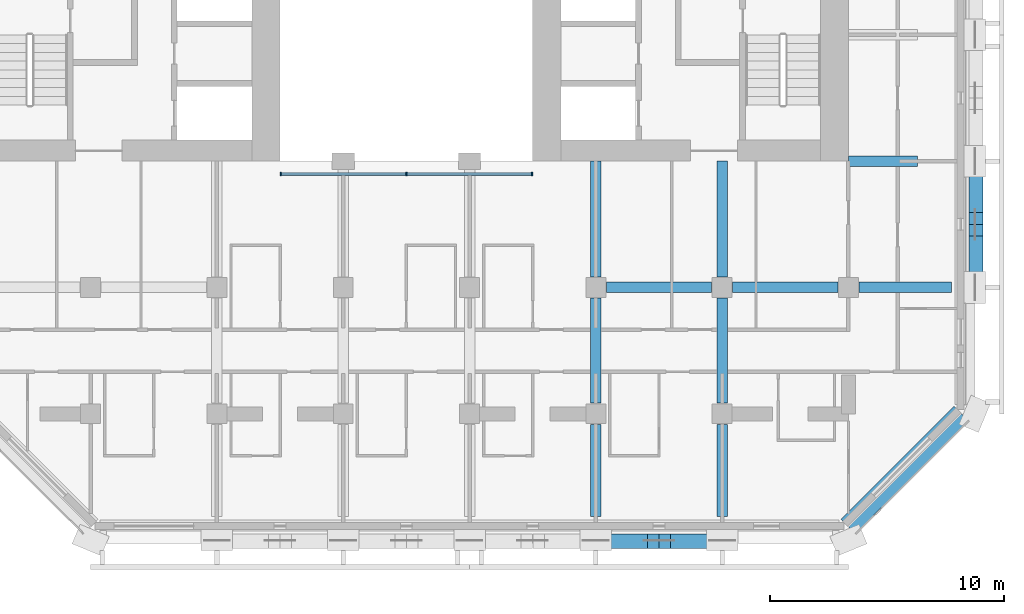
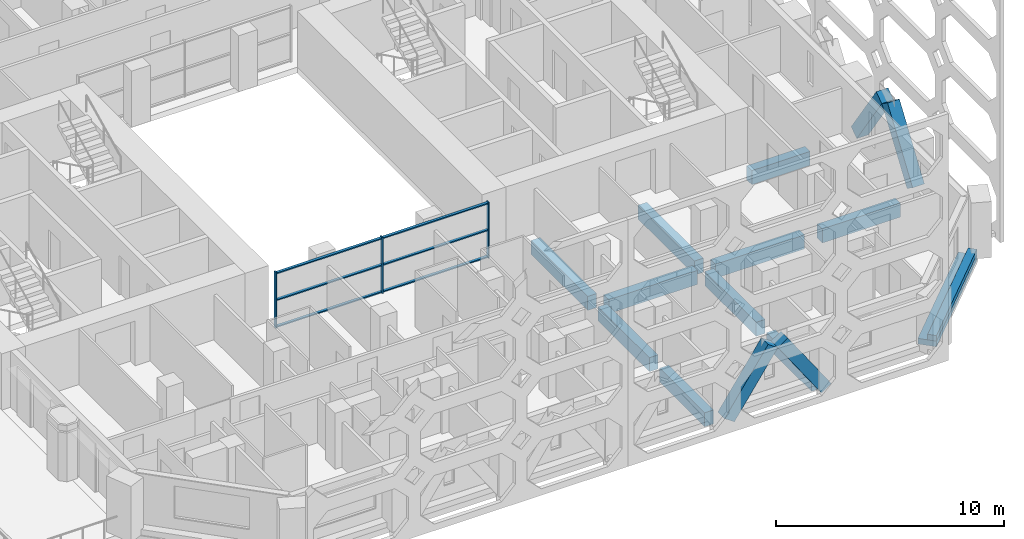
# One storey, part 2 of 16: 13 members, 12 beams, 1 element without a shape of its own.
"""IFC4 building model written with IfcOpenShell, lengths in metres."""

from ifc_helpers import new_model, si_unit, direction, frame, origin, origin_2d, place, context, subcontext, project, spatial, rectangle, extrude, material, material_profile, profile_set, type_object, element, aggregate, save


model = new_model("IFC4")

# Units and contexts
model_context = context("Model", 3, precision=1e-05, world=origin(), true_north=direction((0.0, 1.0)))
body_context = subcontext(model_context, "Body", "Model", "MODEL_VIEW")
ifc_project = project(units=[si_unit("LENGTHUNIT", "METRE"), si_unit("AREAUNIT", "SQUARE_METRE"), si_unit("VOLUMEUNIT", "CUBIC_METRE"), si_unit("PLANEANGLEUNIT", "RADIAN"), si_unit("MASSUNIT", "GRAM", prefix="KILO")], contexts=[model_context])

# Site, building, storey
site_placement = place(None, origin())
site = spatial("IfcSite", under=ifc_project, at=site_placement, CompositionType="ELEMENT")
building_placement = place(site_placement, origin())
building = spatial("IfcBuilding", under=site, at=building_placement, Name="Tabaq Tower and Sports Hall", CompositionType="ELEMENT")
storey_placement = place(building_placement, frame((0.0, 0.0, 152.800048828125)))
storey = spatial("IfcBuildingStorey", under=building, at=storey_placement, Name="L35", CompositionType="ELEMENT", Elevation=152.800048828125)

# Curtain wall, members
ifc_material_1 = material(Name="Aluminium alloy 6063-T6 framed glazing", Category="aluminium")
curtain_wall_type = type_object("IfcCurtainWallType", Name="CW1 curtain wall", PredefinedType="USERDEFINED", material=ifc_material_1)
curtain_wall_placement = place(storey_placement, origin())
curtain_wall = element("IfcCurtainWall", 1, at=curtain_wall_placement, inside=storey, type_object=curtain_wall_type, Name="Atrium glazing L35 S", ObjectType="ATRIUM ENCLOSURE", PredefinedType="USERDEFINED")
ifc_material_2 = material(Name="Aluminium alloy 6063-T6", Category="aluminium")
ifc_material_profile_1 = material_profile(ifc_material_2, rectangle(XDim=0.159912109375, YDim=0.06005859375, at=origin_2d()), Name="MULLION 160x60")
ifc_profile_set_1 = profile_set([ifc_material_profile_1], Name="Aluminium alloy 6063-T6")
member_type_1 = type_object("IfcMemberType", Name="CW1 mullion 160x60", PredefinedType="MULLION", material=ifc_profile_set_1)
member_1_placement = place(storey_placement, frame((18.929931640625, 15.64990234375, 0.0), z_axis=(0.0, 0.0, 1.0), x_axis=(0.0, 1.0, 0.0)))
member_1 = element("IfcMember", 2, at=member_1_placement, type_object=member_type_1, Name="CW1 mullion 1", PredefinedType="MULLION", context=body_context, shape_type="SweptSolid", body=[
    extrude(rectangle(XDim=0.159912109375, YDim=0.06005859375, at=origin_2d()), origin(), (0.0, 0.0, 1.0), 3.0),
])
member_2_placement = place(storey_placement, frame((24.300048828125, 15.64990234375, 0.0), z_axis=(0.0, 0.0, 1.0), x_axis=(0.0, 1.0, 0.0)))
member_2 = element("IfcMember", 3, at=member_2_placement, type_object=member_type_1, Name="CW1 mullion 2", PredefinedType="MULLION", context=body_context, shape_type="SweptSolid", body=[
    extrude(rectangle(XDim=0.159912109375, YDim=0.06005859375, at=origin_2d()), origin(), (0.0, 0.0, 1.0), 3.0),
])
member_3_placement = place(storey_placement, frame((29.669921875, 15.64990234375, 0.0), z_axis=(0.0, 0.0, 1.0), x_axis=(0.0, 1.0, 0.0)))
member_3 = element("IfcMember", 4, at=member_3_placement, type_object=member_type_1, Name="CW1 mullion 3", PredefinedType="MULLION", context=body_context, shape_type="SweptSolid", body=[
    extrude(rectangle(XDim=0.159912109375, YDim=0.06005859375, at=origin_2d()), origin(), (0.0, 0.0, 1.0), 3.0),
])
ifc_material_3 = material(Name="Aluminium alloy 6063-T6", Category="aluminium")
ifc_material_profile_2 = material_profile(ifc_material_3, rectangle(XDim=0.139892578125, YDim=0.06005859375, at=origin_2d()), Name="TRANSOM 140x60")
ifc_profile_set_2 = profile_set([ifc_material_profile_2], Name="Aluminium alloy 6063-T6")
member_type_2 = type_object("IfcMemberType", Name="CW1 transom 140x60", PredefinedType="USERDEFINED", material=ifc_profile_set_2)
member_4_placement = place(storey_placement, frame((18.9599609375, 15.64990234375, 0.070068359375), z_axis=(1.0, 0.0, 0.0), x_axis=(0.0, 1.0, 0.0)))
member_4 = element("IfcMember", 5, at=member_4_placement, type_object=member_type_2, Name="CW1 transom 1.1", ObjectType="TRANSOM", PredefinedType="USERDEFINED", context=body_context, shape_type="SweptSolid", body=[
    extrude(rectangle(XDim=0.139892578125, YDim=0.06005859375, at=origin_2d()), origin(), (0.0, 0.0, 1.0), 5.31005859375),
])
member_5_placement = place(storey_placement, frame((18.9599609375, 15.64990234375, 1.5), z_axis=(1.0, 0.0, 0.0), x_axis=(0.0, 1.0, 0.0)))
member_5 = element("IfcMember", 6, at=member_5_placement, type_object=member_type_2, Name="CW1 transom 1.2", ObjectType="TRANSOM", PredefinedType="USERDEFINED", context=body_context, shape_type="SweptSolid", body=[
    extrude(rectangle(XDim=0.139892578125, YDim=0.06005859375, at=origin_2d()), origin(), (0.0, 0.0, 1.0), 5.31005859375),
])
member_6_placement = place(storey_placement, frame((18.9599609375, 15.64990234375, 2.929931640625), z_axis=(1.0, 0.0, 0.0), x_axis=(0.0, 1.0, 0.0)))
member_6 = element("IfcMember", 7, at=member_6_placement, type_object=member_type_2, Name="CW1 transom 1.3", ObjectType="TRANSOM", PredefinedType="USERDEFINED", context=body_context, shape_type="SweptSolid", body=[
    extrude(rectangle(XDim=0.139892578125, YDim=0.06005859375, at=origin_2d()), origin(), (0.0, 0.0, 1.0), 5.31005859375),
])
member_7_placement = place(storey_placement, frame((24.330078125, 15.64990234375, 0.070068359375), z_axis=(1.0, 0.0, 0.0), x_axis=(0.0, 1.0, 0.0)))
member_7 = element("IfcMember", 8, at=member_7_placement, type_object=member_type_2, Name="CW1 transom 2.1", ObjectType="TRANSOM", PredefinedType="USERDEFINED", context=body_context, shape_type="SweptSolid", body=[
    extrude(rectangle(XDim=0.139892578125, YDim=0.06005859375, at=origin_2d()), origin(), (0.0, 0.0, 1.0), 5.309814453125),
])
member_8_placement = place(storey_placement, frame((24.330078125, 15.64990234375, 1.5), z_axis=(1.0, 0.0, 0.0), x_axis=(0.0, 1.0, 0.0)))
member_8 = element("IfcMember", 9, at=member_8_placement, type_object=member_type_2, Name="CW1 transom 2.2", ObjectType="TRANSOM", PredefinedType="USERDEFINED", context=body_context, shape_type="SweptSolid", body=[
    extrude(rectangle(XDim=0.139892578125, YDim=0.06005859375, at=origin_2d()), origin(), (0.0, 0.0, 1.0), 5.309814453125),
])
member_9_placement = place(storey_placement, frame((24.330078125, 15.64990234375, 2.929931640625), z_axis=(1.0, 0.0, 0.0), x_axis=(0.0, 1.0, 0.0)))
member_9 = element("IfcMember", 10, at=member_9_placement, type_object=member_type_2, Name="CW1 transom 2.3", ObjectType="TRANSOM", PredefinedType="USERDEFINED", context=body_context, shape_type="SweptSolid", body=[
    extrude(rectangle(XDim=0.139892578125, YDim=0.06005859375, at=origin_2d()), origin(), (0.0, 0.0, 1.0), 5.309814453125),
])
aggregate(curtain_wall, [member_1, member_2, member_3, member_4, member_5, member_6, member_7, member_8, member_9])

# Beams
ifc_material_4 = material(Name="Concrete C40/50", Category="concrete")
ifc_material_profile_3 = material_profile(ifc_material_4, rectangle(XDim=0.449951171875, YDim=0.75, at=origin_2d()), Name="CB 450x750")
ifc_profile_set_3 = profile_set([ifc_material_profile_3], Name="Concrete C40/50")
beam_type_1 = type_object("IfcBeamType", Name="PT CANTILEVER BEAM CB 450x750 C40/50", PredefinedType="BEAM", material=ifc_profile_set_3)
beam_1_placement = place(storey_placement, frame((47.60009765625, 10.800048828125, -0.675048828125), z_axis=(-1.0, 0.0, 0.0), x_axis=(0.0, -1.0, 0.0)))
element("IfcBeam", 11, at=beam_1_placement, inside=storey, type_object=beam_type_1, Name="Cantilever Beam L35 E2 span 1", PredefinedType="BEAM", context=body_context, shape_type="SweptSolid", body=[
    extrude(rectangle(XDim=0.449951171875, YDim=0.75, at=origin_2d()), origin(), (0.0, 0.0, 1.0), 3.9501953125),
])
for number, where, z_axis, x_axis, name in (
    (12, (42.75, 10.800048828125, -0.675048828125), (-1.0, 0.0, 0.0), (0.0, -1.0, 0.0), "Cantilever Beam L35 E2 span 2"),
    (13, (37.35009765625, 10.800048828125, -0.675048828125), (-1.0, 0.0, 0.0), (0.0, -1.0, 0.0), "Cantilever Beam L35 E2 span 3"),
):
    element("IfcBeam", number, at=place(storey_placement, frame(where, z_axis=z_axis, x_axis=x_axis)), inside=storey, type_object=beam_type_1, Name=name, PredefinedType="BEAM", context=body_context, shape_type="SweptSolid", body=[
        extrude(rectangle(XDim=0.449951171875, YDim=0.75, at=origin_2d()), origin(), (0.0, 0.0, 1.0), 4.5),
    ])
beam_2_placement = place(storey_placement, frame((46.14990234375, 16.199951171875, -0.675048828125), z_axis=(-1.0, 0.0, 0.0), x_axis=(0.0, -1.0, 0.0)))
element("IfcBeam", 14, at=beam_2_placement, inside=storey, type_object=beam_type_1, Name="Cantilever Beam L35 E3 span 1", PredefinedType="BEAM", context=body_context, shape_type="SweptSolid", body=[
    extrude(rectangle(XDim=0.449951171875, YDim=0.75, at=origin_2d()), origin(), (0.0, 0.0, 1.0), 2.949951171875),
])
beam_3_placement = place(storey_placement, frame((32.39990234375, 1.0, -0.675048828125), z_axis=(0.0, 1.0, 0.0), x_axis=(-1.0, 0.0, 0.0)))
element("IfcBeam", 15, at=beam_3_placement, inside=storey, type_object=beam_type_1, Name="Cantilever Beam L35 S6 span 1", PredefinedType="BEAM", context=body_context, shape_type="SweptSolid", body=[
    extrude(rectangle(XDim=0.449951171875, YDim=0.75, at=origin_2d()), origin(), (0.0, 0.0, 1.0), 3.949951171875),
])
beam_4_placement = place(storey_placement, frame((32.39990234375, 5.85009765625, -0.675048828125), z_axis=(0.0, 1.0, 0.0), x_axis=(-1.0, 0.0, 0.0)))
element("IfcBeam", 16, at=beam_4_placement, inside=storey, type_object=beam_type_1, Name="Cantilever Beam L35 S6 span 2", PredefinedType="BEAM", context=body_context, shape_type="SweptSolid", body=[
    extrude(rectangle(XDim=0.449951171875, YDim=0.75, at=origin_2d()), origin(), (0.0, 0.0, 1.0), 4.5),
])
beam_5_placement = place(storey_placement, frame((32.39990234375, 11.25, -0.675048828125), z_axis=(0.0, 1.0, 0.0), x_axis=(-1.0, 0.0, 0.0)))
element("IfcBeam", 17, at=beam_5_placement, inside=storey, type_object=beam_type_1, Name="Cantilever Beam L35 S6 span 3", PredefinedType="BEAM", context=body_context, shape_type="SweptSolid", body=[
    extrude(rectangle(XDim=0.449951171875, YDim=0.75, at=origin_2d()), origin(), (0.0, 0.0, 1.0), 4.949951171875),
])
beam_6_placement = place(storey_placement, frame((37.800048828125, 1.0, -0.675048828125), z_axis=(0.0, 1.0, 0.0), x_axis=(-1.0, 0.0, 0.0)))
element("IfcBeam", 18, at=beam_6_placement, inside=storey, type_object=beam_type_1, Name="Cantilever Beam L35 S7 span 1", PredefinedType="BEAM", context=body_context, shape_type="SweptSolid", body=[
    extrude(rectangle(XDim=0.449951171875, YDim=0.75, at=origin_2d()), origin(), (0.0, 0.0, 1.0), 3.949951171875),
])
beam_7_placement = place(storey_placement, frame((37.800048828125, 5.85009765625, -0.675048828125), z_axis=(0.0, 1.0, 0.0), x_axis=(-1.0, 0.0, 0.0)))
element("IfcBeam", 19, at=beam_7_placement, inside=storey, type_object=beam_type_1, Name="Cantilever Beam L35 S7 span 2", PredefinedType="BEAM", context=body_context, shape_type="SweptSolid", body=[
    extrude(rectangle(XDim=0.449951171875, YDim=0.75, at=origin_2d()), origin(), (0.0, 0.0, 1.0), 4.5),
])
beam_8_placement = place(storey_placement, frame((37.800048828125, 11.25, -0.675048828125), z_axis=(0.0, 1.0, 0.0), x_axis=(-1.0, 0.0, 0.0)))
element("IfcBeam", 20, at=beam_8_placement, inside=storey, type_object=beam_type_1, Name="Cantilever Beam L35 S7 span 3", PredefinedType="BEAM", context=body_context, shape_type="SweptSolid", body=[
    extrude(rectangle(XDim=0.449951171875, YDim=0.75, at=origin_2d()), origin(), (0.0, 0.0, 1.0), 4.949951171875),
])
ifc_material_5 = material(Name="Concrete C40/50", Category="concrete")
ifc_material_profile_4 = material_profile(ifc_material_5, rectangle(XDim=0.85009765625, YDim=0.300048828125, at=origin_2d()), Name="EB 850x300")
ifc_profile_set_4 = profile_set([ifc_material_profile_4], Name="Concrete C40/50")
beam_type_2 = type_object("IfcBeamType", Name="PT EDGE BEAM EB 850x300 C40/50", PredefinedType="SPANDREL", material=ifc_profile_set_4)
beam_9_placement = place(storey_placement, frame((43.183837890625, 0.584716796875, -0.150146484375), z_axis=(0.707088915255, 0.707124646667, 0.0), x_axis=(-0.707124646667, 0.707088915255, 0.0)))
element("IfcBeam", 21, at=beam_9_placement, inside=storey, type_object=beam_type_2, Name="Edge Beam L35 3", PredefinedType="SPANDREL", context=body_context, shape_type="SweptSolid", body=[
    extrude(rectangle(XDim=0.85009765625, YDim=0.300048828125, at=origin_2d()), origin(), (0.0, 0.0, 1.0), 6.832763671875),
])
ifc_material_6 = material(Name="Concrete C40/50", Category="concrete")
ifc_material_profile_5 = material_profile(ifc_material_6, rectangle(XDim=0.39990234375, YDim=0.300048828125, at=origin_2d()), Name="EU 400x300")
ifc_profile_set_5 = profile_set([ifc_material_profile_5], Name="Concrete C40/50")
beam_type_3 = type_object("IfcBeamType", Name="PT EDGE UPSTAND EU 400x300 C40/50", PredefinedType="BEAM", material=ifc_profile_set_5)
beam_10_placement = place(storey_placement, frame((43.3427734375, 0.42578125, 0.14990234375), z_axis=(0.707124646667, 0.707088915255, 0.0), x_axis=(-0.707088915255, 0.707124646667, 0.0)))
element("IfcBeam", 22, at=beam_10_placement, inside=storey, type_object=beam_type_3, Name="Edge Upstand L35 3", PredefinedType="BEAM", context=body_context, shape_type="SweptSolid", body=[
    extrude(rectangle(XDim=0.39990234375, YDim=0.300048828125, at=origin_2d()), origin(), (0.0, 0.0, 1.0), 6.832763671875),
])

# Members
ifc_material_7 = material(Name="Concrete C50/60", Category="concrete")
ifc_material_profile_6 = material_profile(ifc_material_7, rectangle(XDim=0.60009765625, YDim=0.60009765625, at=origin_2d()), Name="TRANSFER BAND BRACE 600x600")
ifc_profile_set_6 = profile_set([ifc_material_profile_6], Name="Concrete C50/60")
member_type_3 = type_object("IfcMemberType", Name="RC TRANSFER BAND BRACE 600x600 C50/60", PredefinedType="BRACE", material=ifc_profile_set_6)
for number, where, z_axis, x_axis, name in (
    (23, (32.64990234375, -0.050048828125, -0.050048828125), (0.566568844459, 0.0, 0.824014407937), (0.0, 1.0, 0.0), "Transfer Band Brace L35 South 7"),
    (24, (37.550048828125, -0.050048828125, -0.050048828125), (-0.56652615464, 0.0, 0.824043758613), (0.0, -1.0, 0.0), "Transfer Band Brace L35 South 8"),
    (25, (48.64990234375, 11.050048828125, -0.050048828125), (0.0, 0.56652615464, 0.824043758613), (-1.0, 0.0, 0.0), "Transfer Band Brace L35 East 9"),
    (26, (48.64990234375, 15.949951171875, -0.050048828125), (0.0, -0.56652615464, 0.824043758613), (1.0, 0.0, 0.0), "Transfer Band Brace L35 East 10"),
):
    element("IfcMember", number, at=place(storey_placement, frame(where, z_axis=z_axis, x_axis=x_axis)), inside=storey, type_object=member_type_3, Name=name, PredefinedType="BRACE", context=body_context, shape_type="SweptSolid", body=[
        extrude(rectangle(XDim=0.60009765625, YDim=0.60009765625, at=origin_2d()), origin(), (0.0, 0.0, 1.0), 3.88330078125),
    ])

save(model, "model.ifc")
